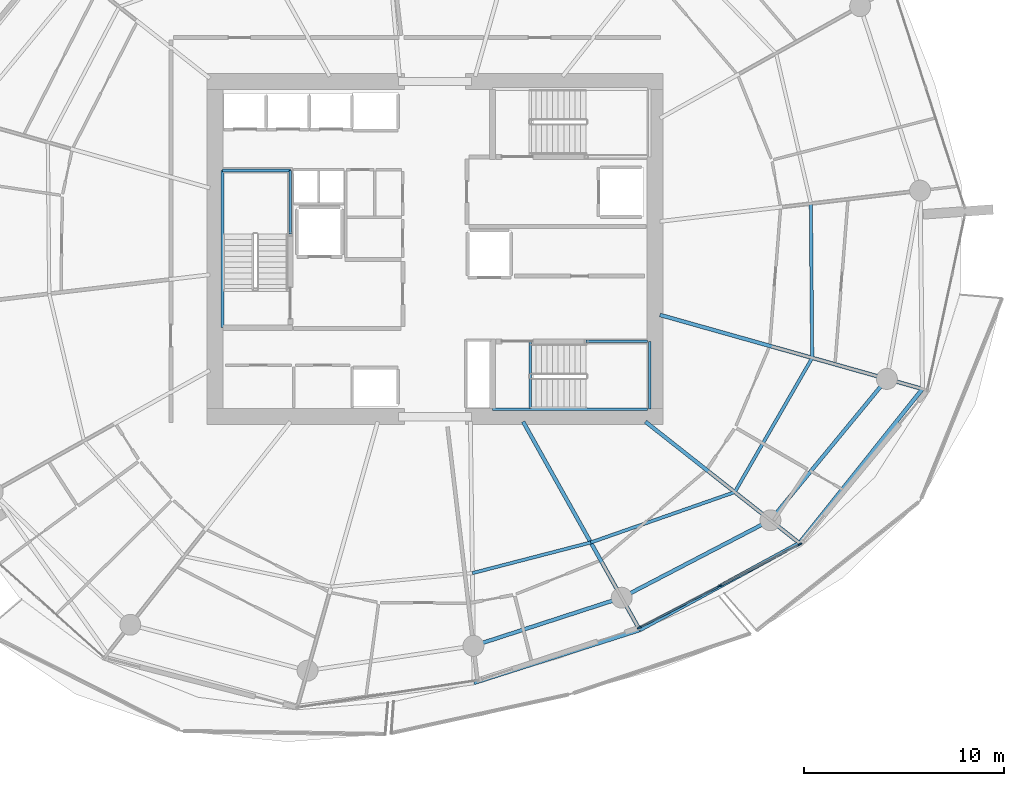
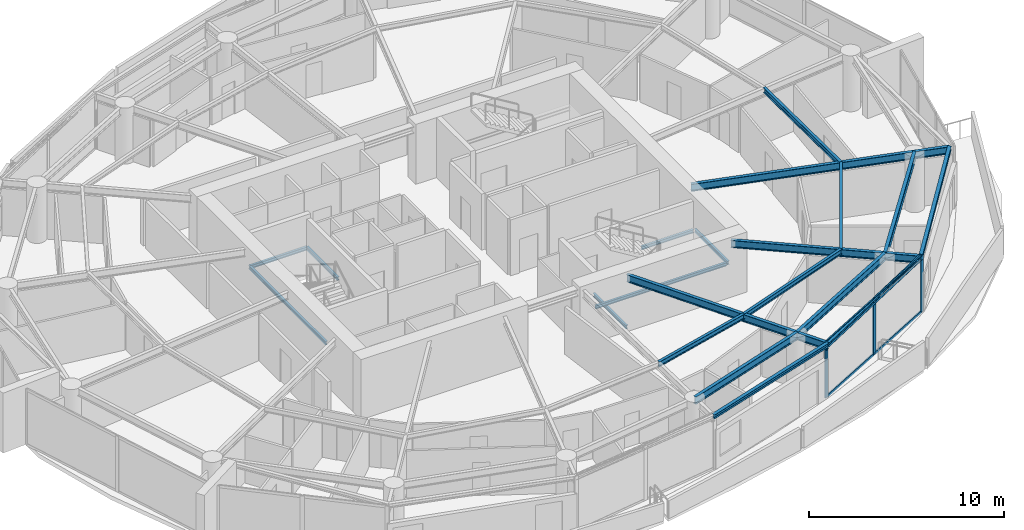
# One storey, part 6 of 20: 20 beams, 7 members, 1 element without a shape of its own.
"""IFC4 building model written with IfcOpenShell, lengths in metres."""

from ifc_helpers import new_model, si_unit, direction, frame, origin, origin_2d, place, context, subcontext, project, spatial, rectangle, i_section, extrude, material, layer, layer_set, material_profile, profile_set, type_object, element, aggregate, save


model = new_model("IFC4")

# Units and contexts
model_context = context("Model", 3, precision=1e-05, world=origin(), true_north=direction((0.0, 1.0)))
body_context = subcontext(model_context, "Body", "Model", "MODEL_VIEW")
ifc_project = project(units=[si_unit("LENGTHUNIT", "METRE"), si_unit("AREAUNIT", "SQUARE_METRE"), si_unit("VOLUMEUNIT", "CUBIC_METRE"), si_unit("PLANEANGLEUNIT", "RADIAN"), si_unit("MASSUNIT", "GRAM", prefix="KILO")], contexts=[model_context])

# Site, building, storey
site_placement = place(None, origin())
site = spatial("IfcSite", under=ifc_project, at=site_placement, CompositionType="ELEMENT")
building_placement = place(site_placement, origin())
building = spatial("IfcBuilding", under=site, at=building_placement, Name="Kazma Halo Residences", CompositionType="ELEMENT")
storey_placement = place(building_placement, frame((0.0, 0.0, 157.800048828125)))
storey = spatial("IfcBuildingStorey", under=building, at=storey_placement, Name="L39", CompositionType="ELEMENT", Elevation=157.800048828125)

# Beams
ifc_material_1 = material(Name="Steel S355", Category="steel")
ifc_material_profile_1 = material_profile(ifc_material_1, i_section(OverallWidth=0.201904296875, OverallDepth=0.2470703125, WebThickness=0.00732421875, FlangeThickness=0.010986328125, FilletRadius=0.011962890625, at=origin_2d()), Name="W250x49.1")
ifc_profile_set_1 = profile_set([ifc_material_profile_1], Name="Steel S355")
beam_type_1 = type_object("IfcBeamType", Name="BM-BAL-CANT", PredefinedType="BEAM", material=ifc_profile_set_1)
beam_1_placement = place(storey_placement, frame((50.37841796875, 20.269287109375, 3.37646484375), z_axis=(0.952724066304, 0.303836886315, 0.0), x_axis=(-0.303836886315, 0.952724066304, 0.0)))
element("IfcBeam", 1, at=beam_1_placement, inside=storey, type_object=beam_type_1, Name="L39 wave-balcony tie beam 12", PredefinedType="BEAM", context=body_context, shape_type="SweptSolid", body=[
    extrude(i_section(OverallWidth=0.201904296875, OverallDepth=0.2470703125, WebThickness=0.00732421875, FlangeThickness=0.010986328125, FilletRadius=0.011962890625, at=origin_2d()), origin(), (0.0, 0.0, 1.0), 8.719970703125),
])
beam_2_placement = place(storey_placement, frame((58.68603515625, 22.918701171875, 3.37646484375), z_axis=(0.878572913315, 0.477608245312, 0.0), x_axis=(-0.477608245312, 0.878572913315, 0.0)))
element("IfcBeam", 2, at=beam_2_placement, inside=storey, type_object=beam_type_1, Name="L39 wave-balcony tie beam 13", PredefinedType="BEAM", context=body_context, shape_type="SweptSolid", body=[
    extrude(i_section(OverallWidth=0.201904296875, OverallDepth=0.2470703125, WebThickness=0.00732421875, FlangeThickness=0.010986328125, FilletRadius=0.011962890625, at=origin_2d()), origin(), (0.0, 0.0, 1.0), 9.107177734375),
])
beam_3_placement = place(storey_placement, frame((66.687255859375, 27.268310546875, 3.37646484375), z_axis=(0.623742400336, 0.781629975131, 0.0), x_axis=(-0.781629975131, 0.623742400336, 0.0)))
element("IfcBeam", 3, at=beam_3_placement, inside=storey, type_object=beam_type_1, Name="L39 wave-balcony tie beam 14", PredefinedType="BEAM", context=body_context, shape_type="SweptSolid", body=[
    extrude(i_section(OverallWidth=0.201904296875, OverallDepth=0.2470703125, WebThickness=0.00732421875, FlangeThickness=0.010986328125, FilletRadius=0.011962890625, at=origin_2d()), origin(), (0.0, 0.0, 1.0), 9.880859375),
])
ifc_material_profile_2 = material_profile(ifc_material_1, i_section(OverallWidth=0.18994140625, OverallDepth=0.45703125, WebThickness=0.009033203125, FlangeThickness=0.014404296875, FilletRadius=0.01611328125, at=origin_2d()), Name="W460x74")
ifc_profile_set_2 = profile_set([ifc_material_profile_2], Name="Steel S355")
beam_type_2 = type_object("IfcBeamType", Name="BM-RAD-W460", PredefinedType="BEAM", material=ifc_profile_set_2)
beam_4_placement = place(storey_placement, frame((52.84423828125, 33.35009765625, 3.271484375), z_axis=(0.488617048735, -0.872498355119, 0.0), x_axis=(0.872498355119, 0.488617048735, 0.0)))
element("IfcBeam", 4, at=beam_4_placement, inside=storey, type_object=beam_type_2, Name="L39 radial floor beam 13", PredefinedType="BEAM", context=body_context, shape_type="SweptSolid", body=[
    extrude(i_section(OverallWidth=0.18994140625, OverallDepth=0.45703125, WebThickness=0.009033203125, FlangeThickness=0.014404296875, FilletRadius=0.01611328125, at=origin_2d()), origin(), (0.0, 0.0, 1.0), 11.955810546875),
])
beam_5_placement = place(storey_placement, frame((58.972412109375, 33.35009765625, 3.271484375), z_axis=(0.785322142498, -0.619087338347, 0.0), x_axis=(0.619087338347, 0.785322142498, 0.0)))
element("IfcBeam", 5, at=beam_5_placement, inside=storey, type_object=beam_type_2, Name="L39 radial floor beam 14", PredefinedType="BEAM", context=body_context, shape_type="SweptSolid", body=[
    extrude(i_section(OverallWidth=0.18994140625, OverallDepth=0.45703125, WebThickness=0.009033203125, FlangeThickness=0.014404296875, FilletRadius=0.01611328125, at=origin_2d()), origin(), (0.0, 0.0, 1.0), 9.82373046875),
])
beam_6_placement = place(storey_placement, frame((59.699951171875, 38.7001953125, 3.271484375), z_axis=(0.962456259321, -0.271436823024, 0.0), x_axis=(0.271436823024, 0.962456259321, 0.0)))
element("IfcBeam", 6, at=beam_6_placement, inside=storey, type_object=beam_type_2, Name="L39 radial floor beam 15", PredefinedType="BEAM", context=body_context, shape_type="SweptSolid", body=[
    extrude(i_section(OverallWidth=0.18994140625, OverallDepth=0.45703125, WebThickness=0.009033203125, FlangeThickness=0.014404296875, FilletRadius=0.01611328125, at=origin_2d()), origin(), (0.0, 0.0, 1.0), 13.663330078125),
])
ifc_material_profile_3 = material_profile(ifc_material_1, i_section(OverallWidth=0.1650390625, OverallDepth=0.31005859375, WebThickness=0.005859375, FlangeThickness=0.009765625, FilletRadius=0.011962890625, at=origin_2d()), Name="W310x38.7")
ifc_profile_set_3 = profile_set([ifc_material_profile_3], Name="Steel S355")
beam_type_3 = type_object("IfcBeamType", Name="BM-SEC-W310B", PredefinedType="JOIST", material=ifc_profile_set_3)
beam_7_placement = place(storey_placement, frame((50.303466796875, 25.76318359375, 3.344970703125), z_axis=(0.968017337658, 0.250883307524, 0.0), x_axis=(-0.250883307524, 0.968017337658, 0.0)))
element("IfcBeam", 7, at=beam_7_placement, inside=storey, type_object=beam_type_3, Name="L39 circumferential floor joist 12", PredefinedType="JOIST", context=body_context, shape_type="SweptSolid", body=[
    extrude(i_section(OverallWidth=0.1650390625, OverallDepth=0.31005859375, WebThickness=0.005859375, FlangeThickness=0.009765625, FilletRadius=0.011962890625, at=origin_2d()), origin(), (0.0, 0.0, 1.0), 6.124755859375),
])
beam_8_placement = place(storey_placement, frame((56.232421875, 27.2998046875, 3.344970703125), z_axis=(0.943956421223, 0.330070105935, 0.0), x_axis=(-0.330070105935, 0.943956421223, 0.0)))
element("IfcBeam", 8, at=beam_8_placement, inside=storey, type_object=beam_type_3, Name="L39 circumferential floor joist 13", PredefinedType="JOIST", context=body_context, shape_type="SweptSolid", body=[
    extrude(i_section(OverallWidth=0.1650390625, OverallDepth=0.31005859375, WebThickness=0.005859375, FlangeThickness=0.009765625, FilletRadius=0.011962890625, at=origin_2d()), origin(), (0.0, 0.0, 1.0), 7.642822265625),
])
beam_9_placement = place(storey_placement, frame((63.447021484375, 29.822509765625, 3.344970703125), z_axis=(0.499666203496, 0.866218035533, 0.0), x_axis=(-0.866218035533, 0.499666203496, 0.0)))
element("IfcBeam", 9, at=beam_9_placement, inside=storey, type_object=beam_type_3, Name="L39 circumferential floor joist 14", PredefinedType="JOIST", context=body_context, shape_type="SweptSolid", body=[
    extrude(i_section(OverallWidth=0.1650390625, OverallDepth=0.31005859375, WebThickness=0.005859375, FlangeThickness=0.009765625, FilletRadius=0.011962890625, at=origin_2d()), origin(), (0.0, 0.0, 1.0), 7.765380859375),
])
beam_10_placement = place(storey_placement, frame((67.3271484375, 36.549072265625, 3.344970703125), z_axis=(-0.008779348348, 0.999961460779, 0.0), x_axis=(-0.999961460779, -0.008779348348, 0.0)))
element("IfcBeam", 10, at=beam_10_placement, inside=storey, type_object=beam_type_3, Name="L39 circumferential floor joist 15", PredefinedType="JOIST", context=body_context, shape_type="SweptSolid", body=[
    extrude(i_section(OverallWidth=0.1650390625, OverallDepth=0.31005859375, WebThickness=0.005859375, FlangeThickness=0.009765625, FilletRadius=0.011962890625, at=origin_2d()), origin(), (0.0, 0.0, 1.0), 7.730712890625),
])
ifc_material_profile_4 = material_profile(ifc_material_1, i_section(OverallWidth=0.18994140625, OverallDepth=0.45703125, WebThickness=0.009033203125, FlangeThickness=0.014404296875, FilletRadius=0.01611328125, at=origin_2d()), Name="W460x74")
ifc_profile_set_4 = profile_set([ifc_material_profile_4], Name="Steel S355")
beam_type_4 = type_object("IfcBeamType", Name="BM-SPN-W460", PredefinedType="BEAM", material=ifc_profile_set_4)
beam_11_placement = place(storey_placement, frame((50.35302734375, 22.118896484375, 3.271484375), z_axis=(0.95105634578, 0.309017519167, 0.0), x_axis=(-0.309017519167, 0.95105634578, 0.0)))
element("IfcBeam", 11, at=beam_11_placement, inside=storey, type_object=beam_type_4, Name="L39 perimeter ring beam 12", PredefinedType="BEAM", context=body_context, shape_type="SweptSolid", body=[
    extrude(i_section(OverallWidth=0.18994140625, OverallDepth=0.45703125, WebThickness=0.009033203125, FlangeThickness=0.014404296875, FilletRadius=0.01611328125, at=origin_2d()), origin(), (0.0, 0.0, 1.0), 7.811279296875),
])
beam_12_placement = place(storey_placement, frame((57.781982421875, 24.53271484375, 3.271484375), z_axis=(0.886943099021, 0.461878706046, 0.0), x_axis=(-0.461878706046, 0.886943099021, 0.0)))
element("IfcBeam", 12, at=beam_12_placement, inside=storey, type_object=beam_type_4, Name="L39 perimeter ring beam 13", PredefinedType="BEAM", context=body_context, shape_type="SweptSolid", body=[
    extrude(i_section(OverallWidth=0.18994140625, OverallDepth=0.45703125, WebThickness=0.009033203125, FlangeThickness=0.014404296875, FilletRadius=0.01611328125, at=origin_2d()), origin(), (0.0, 0.0, 1.0), 8.40234375),
])
beam_13_placement = place(storey_placement, frame((65.234375, 28.41357421875, 3.271484375), z_axis=(0.636018723515, 0.771673624882, 0.0), x_axis=(-0.771673624882, 0.636018723515, 0.0)))
element("IfcBeam", 13, at=beam_13_placement, inside=storey, type_object=beam_type_4, Name="L39 perimeter ring beam 14", PredefinedType="BEAM", context=body_context, shape_type="SweptSolid", body=[
    extrude(i_section(OverallWidth=0.18994140625, OverallDepth=0.45703125, WebThickness=0.009033203125, FlangeThickness=0.014404296875, FilletRadius=0.01611328125, at=origin_2d()), origin(), (0.0, 0.0, 1.0), 9.175048828125),
])
ifc_material_profile_5 = material_profile(ifc_material_1, i_section(OverallWidth=0.133056640625, OverallDepth=0.20703125, WebThickness=0.005859375, FlangeThickness=0.00830078125, FilletRadius=0.010009765625, at=origin_2d()), Name="W200x26.6")
ifc_profile_set_5 = profile_set([ifc_material_profile_5], Name="Steel S355")
beam_type_5 = type_object("IfcBeamType", Name="BM-TRIM-W200", PredefinedType="BEAM", material=ifc_profile_set_5)
beam_14_placement = place(storey_placement, frame((53.199951171875, 34.0, -0.360107421875), z_axis=(0.0, 1.0, 0.0), x_axis=(-1.0, 0.0, 0.0)))
element("IfcBeam", 14, at=beam_14_placement, inside=storey, type_object=beam_type_5, Name="L39 ST-03 floor landing support beam", PredefinedType="BEAM", context=body_context, shape_type="SweptSolid", body=[
    extrude(i_section(OverallWidth=0.133056640625, OverallDepth=0.20703125, WebThickness=0.005859375, FlangeThickness=0.00830078125, FilletRadius=0.010009765625, at=origin_2d()), origin(), (0.0, 0.0, 1.0), 3.3798828125),
])
beam_15_placement = place(storey_placement, frame((37.780029296875, 38.06005859375, 1.570068359375), z_axis=(0.0, 1.0, 0.0), x_axis=(-1.0, 0.0, 0.0)))
element("IfcBeam", 15, at=beam_15_placement, inside=storey, type_object=beam_type_5, Name="L39 ST-01 landing west wall ledger", PredefinedType="BEAM", context=body_context, shape_type="SweptSolid", body=[
    extrude(i_section(OverallWidth=0.133056640625, OverallDepth=0.20703125, WebThickness=0.005859375, FlangeThickness=0.00830078125, FilletRadius=0.010009765625, at=origin_2d()), origin(), (0.0, 0.0, 1.0), 7.8798828125),
])
beam_16_placement = place(storey_placement, frame((41.179931640625, 42.75, 1.570068359375), z_axis=(0.0, 1.0, 0.0), x_axis=(-1.0, 0.0, 0.0)))
element("IfcBeam", 16, at=beam_16_placement, inside=storey, type_object=beam_type_5, Name="L39 ST-01 landing east wall ledger", PredefinedType="BEAM", context=body_context, shape_type="SweptSolid", body=[
    extrude(i_section(OverallWidth=0.133056640625, OverallDepth=0.20703125, WebThickness=0.005859375, FlangeThickness=0.00830078125, FilletRadius=0.010009765625, at=origin_2d()), origin(), (0.0, 0.0, 1.0), 3.18994140625),
])
beam_17_placement = place(storey_placement, frame((37.780029296875, 45.93994140625, 1.570068359375), z_axis=(1.0, 0.0, 0.0), x_axis=(0.0, 1.0, 0.0)))
element("IfcBeam", 17, at=beam_17_placement, inside=storey, type_object=beam_type_5, Name="L39 ST-01 landing end wall ledger", PredefinedType="BEAM", context=body_context, shape_type="SweptSolid", body=[
    extrude(i_section(OverallWidth=0.133056640625, OverallDepth=0.20703125, WebThickness=0.005859375, FlangeThickness=0.00830078125, FilletRadius=0.010009765625, at=origin_2d()), origin(), (0.0, 0.0, 1.0), 3.39990234375),
])
beam_18_placement = place(storey_placement, frame((51.31005859375, 33.97998046875, 1.570068359375), z_axis=(1.0, 0.0, 0.0), x_axis=(0.0, 1.0, 0.0)))
element("IfcBeam", 18, at=beam_18_placement, inside=storey, type_object=beam_type_5, Name="L39 ST-03 landing south wall ledger", PredefinedType="BEAM", context=body_context, shape_type="SweptSolid", body=[
    extrude(i_section(OverallWidth=0.133056640625, OverallDepth=0.20703125, WebThickness=0.005859375, FlangeThickness=0.00830078125, FilletRadius=0.010009765625, at=origin_2d()), origin(), (0.0, 0.0, 1.0), 7.760009765625),
])
beam_19_placement = place(storey_placement, frame((56.0, 37.3798828125, 1.570068359375), z_axis=(1.0, 0.0, 0.0), x_axis=(0.0, 1.0, 0.0)))
element("IfcBeam", 19, at=beam_19_placement, inside=storey, type_object=beam_type_5, Name="L39 ST-03 landing north wall ledger", PredefinedType="BEAM", context=body_context, shape_type="SweptSolid", body=[
    extrude(i_section(OverallWidth=0.133056640625, OverallDepth=0.20703125, WebThickness=0.005859375, FlangeThickness=0.00830078125, FilletRadius=0.010009765625, at=origin_2d()), origin(), (0.0, 0.0, 1.0), 3.070068359375),
])
beam_20_placement = place(storey_placement, frame((59.18994140625, 33.97998046875, 1.570068359375), z_axis=(0.0, 1.0, 0.0), x_axis=(-1.0, 0.0, 0.0)))
element("IfcBeam", 20, at=beam_20_placement, inside=storey, type_object=beam_type_5, Name="L39 ST-03 landing end wall ledger", PredefinedType="BEAM", context=body_context, shape_type="SweptSolid", body=[
    extrude(i_section(OverallWidth=0.133056640625, OverallDepth=0.20703125, WebThickness=0.005859375, FlangeThickness=0.00830078125, FilletRadius=0.010009765625, at=origin_2d()), origin(), (0.0, 0.0, 1.0), 3.39990234375),
])

# Curtain wall, members
ifc_material_2 = material(Name="Aluminium AW-6063 T6 and Triple-Silver Low-E Glass", Category="aluminium")
ifc_layer = layer(ifc_material_2, 0.219970703125)
ifc_layer_set = layer_set([ifc_layer], Name="Aluminium AW-6063 T6 and Triple-Silver Low-E Glass")
curtain_wall_type = type_object("IfcCurtainWallType", Name="CW-SYS-4", PredefinedType="NOTDEFINED", material=ifc_layer_set)
curtain_wall_placement = place(storey_placement, origin())
curtain_wall = element("IfcCurtainWall", 21, at=curtain_wall_placement, inside=storey, type_object=curtain_wall_type, Name="L39 unitised curtain wall B13", PredefinedType="NOTDEFINED")
ifc_material_3 = material(Name="Aluminium AW-6063 T6", Category="aluminium")
ifc_material_profile_6 = material_profile(ifc_material_3, rectangle(XDim=0.074951171875, YDim=0.219970703125, at=origin_2d()), Name="CWM-75x220")
ifc_profile_set_6 = profile_set([ifc_material_profile_6], Name="Aluminium AW-6063 T6")
member_type_1 = type_object("IfcMemberType", Name="CW-SYS-4-MUL", PredefinedType="MULLION", material=ifc_profile_set_6)
member_1_placement = place(storey_placement, frame((58.66552734375, 23.0322265625, 0.0), z_axis=(0.0, 0.0, 1.0), x_axis=(-0.460837484552, 0.887484542306, 0.0)))
member_1 = element("IfcMember", 22, at=member_1_placement, type_object=member_type_1, Name="CWS-4 mullion 1", PredefinedType="MULLION", context=body_context, shape_type="SweptSolid", body=[
    extrude(rectangle(XDim=0.074951171875, YDim=0.219970703125, at=origin_2d()), origin(), (0.0, 0.0, 1.0), 3.5),
])
member_2_placement = place(storey_placement, frame((62.686767578125, 25.120361328125, 0.0), z_axis=(0.0, 0.0, 1.0), x_axis=(-0.460837484552, 0.887484542306, 0.0)))
member_2 = element("IfcMember", 23, at=member_2_placement, type_object=member_type_1, Name="CWS-4 mullion 2", PredefinedType="MULLION", context=body_context, shape_type="SweptSolid", body=[
    extrude(rectangle(XDim=0.074951171875, YDim=0.219970703125, at=origin_2d()), origin(), (0.0, 0.0, 1.0), 3.5),
])
member_3_placement = place(storey_placement, frame((66.7080078125, 27.208251953125, 0.0), z_axis=(0.0, 0.0, 1.0), x_axis=(-0.460837484552, 0.887484542306, 0.0)))
member_3 = element("IfcMember", 24, at=member_3_placement, type_object=member_type_1, Name="CWS-4 mullion 3", PredefinedType="MULLION", context=body_context, shape_type="SweptSolid", body=[
    extrude(rectangle(XDim=0.074951171875, YDim=0.219970703125, at=origin_2d()), origin(), (0.0, 0.0, 1.0), 3.5),
])
ifc_material_profile_7 = material_profile(ifc_material_3, rectangle(XDim=0.074951171875, YDim=0.1650390625, at=origin_2d()), Name="CWT-75x165")
ifc_profile_set_7 = profile_set([ifc_material_profile_7], Name="Aluminium AW-6063 T6")
member_type_2 = type_object("IfcMemberType", Name="CW-SYS-4-TRN", PredefinedType="USERDEFINED", material=ifc_profile_set_7)
member_4_placement = place(storey_placement, frame((58.69873046875, 23.049560546875, 0.037353515625), z_axis=(0.887484872803, 0.460836848077, 0.0), x_axis=(-0.460836848077, 0.887484872803, 0.0)))
member_4 = element("IfcMember", 25, at=member_4_placement, type_object=member_type_2, Name="CWS-4 transom 1.1", ObjectType="TRANSOM", PredefinedType="USERDEFINED", context=body_context, shape_type="SweptSolid", body=[
    extrude(rectangle(XDim=0.074951171875, YDim=0.1650390625, at=origin_2d()), origin(), (0.0, 0.0, 1.0), 4.4560546875),
])
member_5_placement = place(storey_placement, frame((58.69873046875, 23.049560546875, 3.46240234375), z_axis=(0.887484872803, 0.460836848077, 0.0), x_axis=(-0.460836848077, 0.887484872803, 0.0)))
member_5 = element("IfcMember", 26, at=member_5_placement, type_object=member_type_2, Name="CWS-4 transom 1.2", ObjectType="TRANSOM", PredefinedType="USERDEFINED", context=body_context, shape_type="SweptSolid", body=[
    extrude(rectangle(XDim=0.074951171875, YDim=0.1650390625, at=origin_2d()), origin(), (0.0, 0.0, 1.0), 4.4560546875),
])
member_6_placement = place(storey_placement, frame((62.719970703125, 25.137451171875, 0.037353515625), z_axis=(0.887484872803, 0.460836848077, 0.0), x_axis=(-0.460836848077, 0.887484872803, 0.0)))
member_6 = element("IfcMember", 27, at=member_6_placement, type_object=member_type_2, Name="CWS-4 transom 2.1", ObjectType="TRANSOM", PredefinedType="USERDEFINED", context=body_context, shape_type="SweptSolid", body=[
    extrude(rectangle(XDim=0.074951171875, YDim=0.1650390625, at=origin_2d()), origin(), (0.0, 0.0, 1.0), 4.4560546875),
])
member_7_placement = place(storey_placement, frame((62.719970703125, 25.137451171875, 3.46240234375), z_axis=(0.887484872803, 0.460836848077, 0.0), x_axis=(-0.460836848077, 0.887484872803, 0.0)))
member_7 = element("IfcMember", 28, at=member_7_placement, type_object=member_type_2, Name="CWS-4 transom 2.2", ObjectType="TRANSOM", PredefinedType="USERDEFINED", context=body_context, shape_type="SweptSolid", body=[
    extrude(rectangle(XDim=0.074951171875, YDim=0.1650390625, at=origin_2d()), origin(), (0.0, 0.0, 1.0), 4.4560546875),
])
aggregate(curtain_wall, [member_1, member_2, member_3, member_4, member_5, member_6, member_7])

save(model, "model.ifc")
